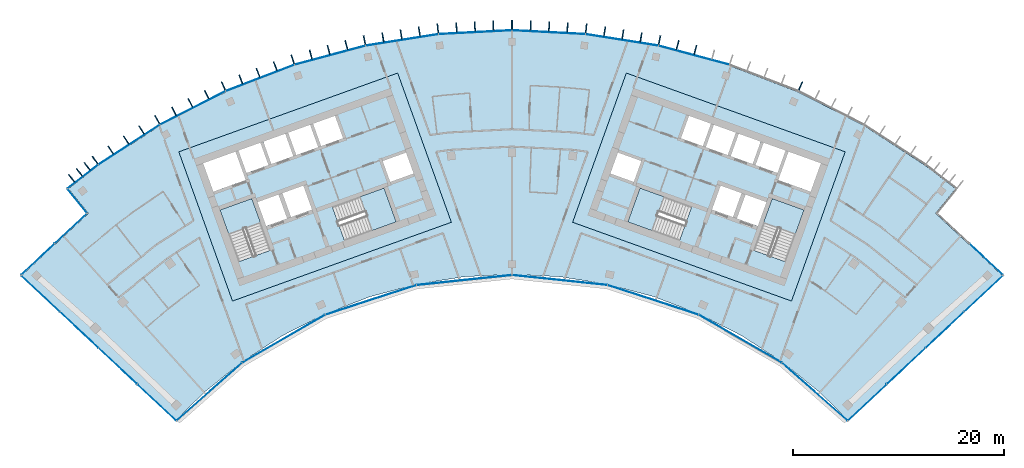
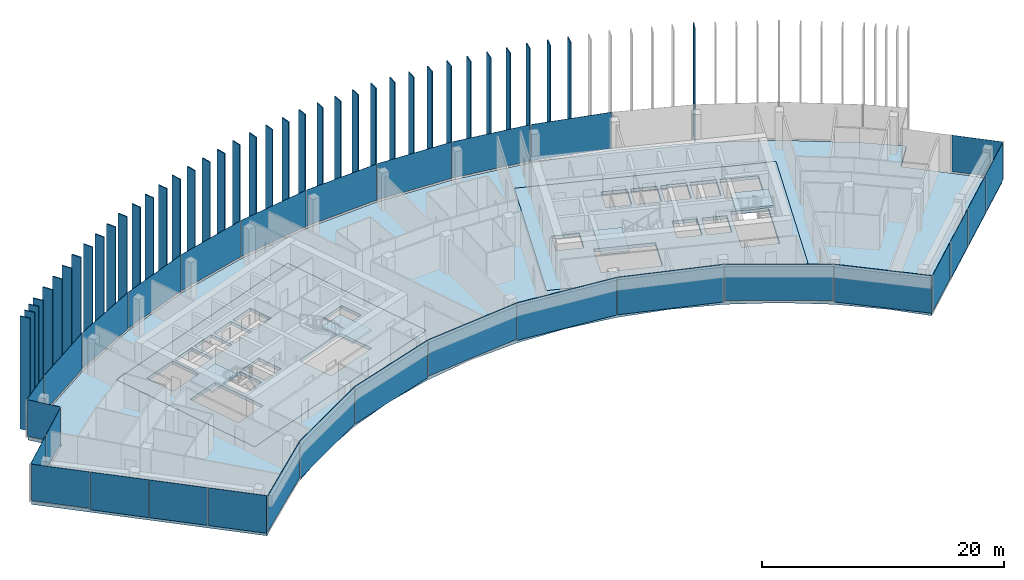
# One storey, part 11 of 19: 69 plates, 7 slabs, 11 elements without a shape of their own.
"""IFC4 building model written with IfcOpenShell, lengths in metres."""

from ifc_helpers import new_model, si_unit, direction, frame, origin, origin_2d, place, context, subcontext, project, spatial, polyline, rectangle, outline, extrude, material, layer, layer_set, type_object, element, aggregate, save


model = new_model("IFC4")

# Units and contexts
model_context = context("Model", 3, precision=1e-05, world=origin(), true_north=direction((0.0, 1.0)))
body_context = subcontext(model_context, "Body", "Model", "MODEL_VIEW")
ifc_project = project(units=[si_unit("LENGTHUNIT", "METRE"), si_unit("AREAUNIT", "SQUARE_METRE"), si_unit("VOLUMEUNIT", "CUBIC_METRE"), si_unit("PLANEANGLEUNIT", "RADIAN"), si_unit("MASSUNIT", "GRAM", prefix="KILO")], contexts=[model_context])

# Site, building, storey
site_placement = place(None, origin())
site = spatial("IfcSite", under=ifc_project, at=site_placement, CompositionType="ELEMENT")
building_placement = place(site_placement, origin())
building = spatial("IfcBuilding", under=site, at=building_placement, Name="Stone Belt Terrace Tower", CompositionType="ELEMENT")
storey_placement = place(building_placement, frame((0.0, 0.0, 280.800048828125)))
storey = spatial("IfcBuildingStorey", under=building, at=storey_placement, Name="L68", CompositionType="ELEMENT", Elevation=280.800048828125)

# Curtain wall, plates
ifc_material_1 = material(Name="Aluminium 6063-T6 anodised frame", Category="aluminium")
ifc_layer_1 = layer(ifc_material_1, 0.14990234375)
ifc_layer_set_1 = layer_set([ifc_layer_1], Name="CW-A unitised convex-face curtain wall")
curtain_wall_type_1 = type_object("IfcCurtainWallType", Name="CW-A unitised convex-face curtain wall", PredefinedType="NOTDEFINED", material=ifc_layer_set_1)
curtain_wall_1_placement = place(storey_placement, origin())
curtain_wall_1 = element("IfcCurtainWall", 1, at=curtain_wall_1_placement, inside=storey, type_object=curtain_wall_type_1, Name="CW-A convex face L68", PredefinedType="NOTDEFINED")
ifc_material_2 = material(Name="Clear double glazed unit")
ifc_layer_2 = layer(ifc_material_2, 0.031982421875)
ifc_layer_set_2 = layer_set([ifc_layer_2], Name="CW-A glass panel 32")
plate_type_1 = type_object("IfcPlateType", Name="CW-A glass panel 32", PredefinedType="CURTAIN_PANEL", material=ifc_layer_set_2)
plate_1_placement = place(storey_placement, frame((17.207275390625, 64.218505859375, 0.14013671875), z_axis=(0.0, 0.0, 1.0), x_axis=(-0.965925826289, 0.258819045103, 0.0)))
plate_1 = element("IfcPlate", 2, at=plate_1_placement, type_object=plate_type_1, Name="CW-A panel 5.1", PredefinedType="CURTAIN_PANEL", context=body_context, shape_type="SweptSolid", body=[
    extrude(rectangle(XDim=6.90087890625, YDim=0.031982421875, at=origin_2d()), origin(), (0.0, 0.0, 1.0), 3.659912109375),
])
plate_2_placement = place(storey_placement, frame((10.400390625, 65.665283203125, 0.14013671875), z_axis=(0.0, 0.0, 1.0), x_axis=(-0.987688340595, 0.15643446504, 0.0)))
plate_2 = element("IfcPlate", 3, at=plate_2_placement, type_object=plate_type_1, Name="CW-A panel 6.1", PredefinedType="CURTAIN_PANEL", context=body_context, shape_type="SweptSolid", body=[
    extrude(rectangle(XDim=6.90087890625, YDim=0.031982421875, at=origin_2d()), origin(), (0.0, 0.0, 1.0), 3.659912109375),
])
plate_3_placement = place(storey_placement, frame((3.4794921875, 66.392822265625, 0.14013671875), z_axis=(0.0, 0.0, 1.0), x_axis=(-0.998629534755, 0.052335956243, 0.0)))
plate_3 = element("IfcPlate", 4, at=plate_3_placement, type_object=plate_type_1, Name="CW-A panel 7.1", PredefinedType="CURTAIN_PANEL", context=body_context, shape_type="SweptSolid", body=[
    extrude(rectangle(XDim=6.90087890625, YDim=0.031982421875, at=origin_2d()), origin(), (0.0, 0.0, 1.0), 3.659912109375),
])
plate_4_placement = place(storey_placement, frame((-3.4794921875, 66.392822265625, 0.14013671875), z_axis=(0.0, 0.0, 1.0), x_axis=(-0.998629534755, -0.052335956243, 0.0)))
plate_4 = element("IfcPlate", 5, at=plate_4_placement, type_object=plate_type_1, Name="CW-A panel 8.1", PredefinedType="CURTAIN_PANEL", context=body_context, shape_type="SweptSolid", body=[
    extrude(rectangle(XDim=6.90087890625, YDim=0.031982421875, at=origin_2d()), origin(), (0.0, 0.0, 1.0), 3.659912109375),
])
plate_5_placement = place(storey_placement, frame((-10.400390625, 65.665283203125, 0.14013671875), z_axis=(0.0, 0.0, 1.0), x_axis=(-0.987688340595, -0.15643446504, 0.0)))
plate_5 = element("IfcPlate", 6, at=plate_5_placement, type_object=plate_type_1, Name="CW-A panel 9.1", PredefinedType="CURTAIN_PANEL", context=body_context, shape_type="SweptSolid", body=[
    extrude(rectangle(XDim=6.90087890625, YDim=0.031982421875, at=origin_2d()), origin(), (0.0, 0.0, 1.0), 3.659912109375),
])
plate_6_placement = place(storey_placement, frame((-17.207275390625, 64.218505859375, 0.14013671875), z_axis=(0.0, 0.0, 1.0), x_axis=(-0.965925826289, -0.258819045103, 0.0)))
plate_6 = element("IfcPlate", 7, at=plate_6_placement, type_object=plate_type_1, Name="CW-A panel 10.1", PredefinedType="CURTAIN_PANEL", context=body_context, shape_type="SweptSolid", body=[
    extrude(rectangle(XDim=6.90087890625, YDim=0.031982421875, at=origin_2d()), origin(), (0.0, 0.0, 1.0), 3.659912109375),
])
plate_7_placement = place(storey_placement, frame((-23.82568359375, 62.068115234375, 0.14013671875), z_axis=(0.0, 0.0, 1.0), x_axis=(-0.933580426497, -0.358367949545, 0.0)))
plate_7 = element("IfcPlate", 8, at=plate_7_placement, type_object=plate_type_1, Name="CW-A panel 11.1", PredefinedType="CURTAIN_PANEL", context=body_context, shape_type="SweptSolid", body=[
    extrude(rectangle(XDim=6.90087890625, YDim=0.031982421875, at=origin_2d()), origin(), (0.0, 0.0, 1.0), 3.659912109375),
])
plate_8_placement = place(storey_placement, frame((-30.18310546875, 59.237548828125, 0.14013671875), z_axis=(0.0, 0.0, 1.0), x_axis=(-0.891006524188, -0.45399049974, 0.0)))
plate_8 = element("IfcPlate", 9, at=plate_8_placement, type_object=plate_type_1, Name="CW-A panel 12.1", PredefinedType="CURTAIN_PANEL", context=body_context, shape_type="SweptSolid", body=[
    extrude(rectangle(XDim=6.90087890625, YDim=0.031982421875, at=origin_2d()), origin(), (0.0, 0.0, 1.0), 3.659912109375),
])
plate_9_placement = place(storey_placement, frame((-36.209716796875, 55.758056640625, 0.14013671875), z_axis=(0.0, 0.0, 1.0), x_axis=(-0.838670567945, -0.544639035015, 0.0)))
plate_9 = element("IfcPlate", 10, at=plate_9_placement, type_object=plate_type_1, Name="CW-A panel 13.1", PredefinedType="CURTAIN_PANEL", context=body_context, shape_type="SweptSolid", body=[
    extrude(rectangle(XDim=6.900634765625, YDim=0.031982421875, at=origin_2d()), origin(), (0.0, 0.0, 1.0), 3.659912109375),
])
plate_10_placement = place(storey_placement, frame((-40.583251953125, 52.744140625, 0.14013671875), z_axis=(0.0, 0.0, 1.0), x_axis=(-0.792693871824, -0.60961990254, 0.0)))
plate_10 = element("IfcPlate", 11, at=plate_10_placement, type_object=plate_type_1, Name="CW-A panel 14.1", PredefinedType="CURTAIN_PANEL", context=body_context, shape_type="SweptSolid", body=[
    extrude(rectangle(XDim=3.597900390625, YDim=0.031982421875, at=origin_2d()), origin(), (0.0, 0.0, 1.0), 3.659912109375),
])
aggregate(curtain_wall_1, [plate_1, plate_2, plate_3, plate_4, plate_5, plate_6, plate_7, plate_8, plate_9, plate_10])

ifc_layer_3 = layer(ifc_material_1, 0.14990234375)
ifc_layer_set_3 = layer_set([ifc_layer_3], Name="CW-B unitised concave-face curtain wall")
curtain_wall_type_2 = type_object("IfcCurtainWallType", Name="CW-B unitised concave-face curtain wall", PredefinedType="NOTDEFINED", material=ifc_layer_set_3)
curtain_wall_2_placement = place(storey_placement, origin())
curtain_wall_2 = element("IfcCurtainWall", 12, at=curtain_wall_2_placement, inside=storey, type_object=curtain_wall_type_2, Name="CW-B concave face L68", PredefinedType="NOTDEFINED")
ifc_layer_4 = layer(ifc_material_2, 0.030029296875)
ifc_layer_set_4 = layer_set([ifc_layer_4], Name="CW-B glass panel 30")
plate_type_2 = type_object("IfcPlateType", Name="CW-B glass panel 30", PredefinedType="CURTAIN_PANEL", material=ifc_layer_set_4)
plate_11_placement = place(storey_placement, frame((-28.624755859375, 32.39404296875, 0.1201171875), z_axis=(0.0, 0.0, 1.0), x_axis=(0.749658646805, 0.661824684694, 0.0)))
plate_11 = element("IfcPlate", 13, at=plate_11_placement, type_object=plate_type_2, Name="CW-B panel 1.1", PredefinedType="CURTAIN_PANEL", context=body_context, shape_type="SweptSolid", body=[
    extrude(rectangle(XDim=8.2060546875, YDim=0.030029296875, at=origin_2d()), origin(), (0.0, 0.0, 1.0), 3.679931640625),
])
plate_12_placement = place(storey_placement, frame((-21.59375, 37.400634765625, 0.0), z_axis=(0.0, 0.0, 1.0), x_axis=(0.866025403784, 0.5, 0.0)))
plate_12 = element("IfcPlate", 14, at=plate_12_placement, type_object=plate_type_2, Name="CW-B panel 2.1", PredefinedType="CURTAIN_PANEL", context=body_context, shape_type="SweptSolid", body=[
    extrude(rectangle(XDim=9.013427734375, YDim=0.030029296875, at=origin_2d()), origin(), (0.0, 0.0, 1.0), 3.800048828125),
])
plate_13_placement = place(storey_placement, frame((-13.345458984375, 41.072998046875, 0.0), z_axis=(0.0, 0.0, 1.0), x_axis=(0.951056516295, 0.309016994375, 0.0)))
plate_13 = element("IfcPlate", 15, at=plate_13_placement, type_object=plate_type_2, Name="CW-B panel 3.1", PredefinedType="CURTAIN_PANEL", context=body_context, shape_type="SweptSolid", body=[
    extrude(rectangle(XDim=9.0126953125, YDim=0.030029296875, at=origin_2d()), origin(), (0.0, 0.0, 1.0), 3.800048828125),
])
plate_14_placement = place(storey_placement, frame((-4.51416015625, 42.9501953125, 0.1201171875), z_axis=(0.0, 0.0, 1.0), x_axis=(0.994521895368, 0.104528463268, 0.0)))
plate_14 = element("IfcPlate", 16, at=plate_14_placement, type_object=plate_type_2, Name="CW-B panel 4.1", PredefinedType="CURTAIN_PANEL", context=body_context, shape_type="SweptSolid", body=[
    extrude(rectangle(XDim=9.0126953125, YDim=0.030029296875, at=origin_2d()), origin(), (0.0, 0.0, 1.0), 3.679931640625),
])
plate_15_placement = place(storey_placement, frame((4.51416015625, 42.9501953125, 0.0), z_axis=(0.0, 0.0, 1.0), x_axis=(0.994521895368, -0.104528463268, 0.0)))
plate_15 = element("IfcPlate", 17, at=plate_15_placement, type_object=plate_type_2, Name="CW-B panel 5.1", PredefinedType="CURTAIN_PANEL", context=body_context, shape_type="SweptSolid", body=[
    extrude(rectangle(XDim=9.0126953125, YDim=0.030029296875, at=origin_2d()), origin(), (0.0, 0.0, 1.0), 3.800048828125),
])
plate_16_placement = place(storey_placement, frame((13.345458984375, 41.072998046875, 0.0), z_axis=(0.0, 0.0, 1.0), x_axis=(0.951056516295, -0.309016994375, 0.0)))
plate_16 = element("IfcPlate", 18, at=plate_16_placement, type_object=plate_type_2, Name="CW-B panel 6.1", PredefinedType="CURTAIN_PANEL", context=body_context, shape_type="SweptSolid", body=[
    extrude(rectangle(XDim=9.0126953125, YDim=0.030029296875, at=origin_2d()), origin(), (0.0, 0.0, 1.0), 3.800048828125),
])
plate_17_placement = place(storey_placement, frame((21.59375, 37.400634765625, 0.1201171875), z_axis=(0.0, 0.0, 1.0), x_axis=(0.866025403784, -0.5, 0.0)))
plate_17 = element("IfcPlate", 19, at=plate_17_placement, type_object=plate_type_2, Name="CW-B panel 7.1", PredefinedType="CURTAIN_PANEL", context=body_context, shape_type="SweptSolid", body=[
    extrude(rectangle(XDim=9.013427734375, YDim=0.030029296875, at=origin_2d()), origin(), (0.0, 0.0, 1.0), 3.679931640625),
])
plate_18_placement = place(storey_placement, frame((28.624755859375, 32.39404296875, 0.0), z_axis=(0.0, 0.0, 1.0), x_axis=(0.749658646805, -0.661824684694, 0.0)))
plate_18 = element("IfcPlate", 20, at=plate_18_placement, type_object=plate_type_2, Name="CW-B panel 8.1", PredefinedType="CURTAIN_PANEL", context=body_context, shape_type="SweptSolid", body=[
    extrude(rectangle(XDim=8.2060546875, YDim=0.030029296875, at=origin_2d()), origin(), (0.0, 0.0, 1.0), 3.800048828125),
])
aggregate(curtain_wall_2, [plate_11, plate_12, plate_13, plate_14, plate_15, plate_16, plate_17, plate_18])

ifc_layer_5 = layer(ifc_material_1, 0.14990234375)
ifc_layer_set_5 = layer_set([ifc_layer_5], Name="CW-C stick curtain wall, horn ends and notches")
curtain_wall_type_3 = type_object("IfcCurtainWallType", Name="CW-C stick curtain wall, horn ends and notches", PredefinedType="NOTDEFINED", material=ifc_layer_set_5)
curtain_wall_3_placement = place(storey_placement, origin())
curtain_wall_3 = element("IfcCurtainWall", 21, at=curtain_wall_3_placement, inside=storey, type_object=curtain_wall_type_3, Name="CW-C end face L68", PredefinedType="NOTDEFINED")
ifc_layer_6 = layer(ifc_material_2, 0.028076171875)
ifc_layer_set_6 = layer_set([ifc_layer_6], Name="CW-C glass panel 28")
plate_type_3 = type_object("IfcPlateType", Name="CW-C glass panel 28", PredefinedType="CURTAIN_PANEL", material=ifc_layer_set_6)
plate_19_placement = place(storey_placement, frame((33.617431640625, 31.3798828125, 0.1201171875), z_axis=(0.0, 0.0, 1.0), x_axis=(0.729904219708, 0.683549434973, 0.0)))
plate_19 = element("IfcPlate", 22, at=plate_19_placement, type_object=plate_type_3, Name="CW-C panel 1.1", PredefinedType="CURTAIN_PANEL", context=body_context, shape_type="SweptSolid", body=[
    extrude(rectangle(XDim=4.965576171875, YDim=0.028076171875, at=origin_2d()), origin(), (0.0, 0.0, 1.0), 3.679931640625),
])
plate_20_placement = place(storey_placement, frame((37.2763671875, 34.806396484375, 0.0), z_axis=(0.0, 0.0, 1.0), x_axis=(0.729904219708, 0.683549434973, 0.0)))
plate_20 = element("IfcPlate", 23, at=plate_20_placement, type_object=plate_type_3, Name="CW-C panel 2.1", PredefinedType="CURTAIN_PANEL", context=body_context, shape_type="SweptSolid", body=[
    extrude(rectangle(XDim=4.93994140625, YDim=0.028076171875, at=origin_2d()), origin(), (0.0, 0.0, 1.0), 3.800048828125),
])
plate_21_placement = place(storey_placement, frame((40.92578125, 38.22412109375, 0.0), z_axis=(0.0, 0.0, 1.0), x_axis=(0.729904219708, 0.683549434973, 0.0)))
plate_21 = element("IfcPlate", 24, at=plate_21_placement, type_object=plate_type_3, Name="CW-C panel 3.1", PredefinedType="CURTAIN_PANEL", context=body_context, shape_type="SweptSolid", body=[
    extrude(rectangle(XDim=4.93994140625, YDim=0.028076171875, at=origin_2d()), origin(), (0.0, 0.0, 1.0), 3.800048828125),
])
plate_22_placement = place(storey_placement, frame((44.588134765625, 41.65380859375, 0.0), z_axis=(0.0, 0.0, 1.0), x_axis=(0.729904219708, 0.683549434973, 0.0)))
plate_22 = element("IfcPlate", 25, at=plate_22_placement, type_object=plate_type_3, Name="CW-C panel 4.1", PredefinedType="CURTAIN_PANEL", context=body_context, shape_type="SweptSolid", body=[
    extrude(rectangle(XDim=4.974853515625, YDim=0.028076171875, at=origin_2d()), origin(), (0.0, 0.0, 1.0), 3.800048828125),
])
aggregate(curtain_wall_3, [plate_19, plate_20, plate_21, plate_22])

# Curtain wall, plate
curtain_wall_4_placement = place(storey_placement, origin())
curtain_wall_4 = element("IfcCurtainWall", 26, at=curtain_wall_4_placement, inside=storey, type_object=curtain_wall_type_3, Name="CW-C notch face L68", PredefinedType="NOTDEFINED")
plate_23_placement = place(storey_placement, frame((44.8427734375, 44.91259765625, 0.1201171875), z_axis=(0.0, 0.0, 1.0), x_axis=(-0.731339333871, 0.682013767261, 0.0)))
plate_23 = element("IfcPlate", 27, at=plate_23_placement, type_object=plate_type_3, Name="CW-C panel 1.1", PredefinedType="CURTAIN_PANEL", context=body_context, shape_type="SweptSolid", body=[
    extrude(rectangle(XDim=4.268798828125, YDim=0.028076171875, at=origin_2d()), origin(), (0.0, 0.0, 1.0), 3.679931640625),
])
aggregate(curtain_wall_4, [plate_23])

curtain_wall_5_placement = place(storey_placement, origin())
curtain_wall_5 = element("IfcCurtainWall", 28, at=curtain_wall_5_placement, inside=storey, type_object=curtain_wall_type_3, Name="CW-C notch face L68", PredefinedType="NOTDEFINED")
plate_24_placement = place(storey_placement, frame((-41.119140625, 50.43505859375, 0.1201171875), z_axis=(0.0, 0.0, 1.0), x_axis=(0.631001485542, -0.775781622136, 0.0)))
plate_24 = element("IfcPlate", 29, at=plate_24_placement, type_object=plate_type_3, Name="CW-C panel 1.1", PredefinedType="CURTAIN_PANEL", context=body_context, shape_type="SweptSolid", body=[
    extrude(rectangle(XDim=2.859130859375, YDim=0.028076171875, at=origin_2d()), origin(), (0.0, 0.0, 1.0), 3.679931640625),
])
aggregate(curtain_wall_5, [plate_24])

# Curtain wall, plates
curtain_wall_6_placement = place(storey_placement, origin())
curtain_wall_6 = element("IfcCurtainWall", 30, at=curtain_wall_6_placement, inside=storey, type_object=curtain_wall_type_3, Name="CW-C notch face L68", PredefinedType="NOTDEFINED")
plate_25_placement = place(storey_placement, frame((-41.731201171875, 47.814208984375, 0.1201171875), z_axis=(0.0, 0.0, 1.0), x_axis=(-0.731339333871, -0.682013767261, 0.0)))
plate_25 = element("IfcPlate", 31, at=plate_25_placement, type_object=plate_type_3, Name="CW-C panel 1.1", PredefinedType="CURTAIN_PANEL", context=body_context, shape_type="SweptSolid", body=[
    extrude(rectangle(XDim=4.12060546875, YDim=0.028076171875, at=origin_2d()), origin(), (0.0, 0.0, 1.0), 3.679931640625),
])
plate_26_placement = place(storey_placement, frame((-44.8427734375, 44.91259765625, 0.0), z_axis=(0.0, 0.0, 1.0), x_axis=(-0.731339333871, -0.682013767261, 0.0)))
plate_26 = element("IfcPlate", 32, at=plate_26_placement, type_object=plate_type_3, Name="CW-C panel 2.1", PredefinedType="CURTAIN_PANEL", context=body_context, shape_type="SweptSolid", body=[
    extrude(rectangle(XDim=4.268798828125, YDim=0.028076171875, at=origin_2d()), origin(), (0.0, 0.0, 1.0), 3.800048828125),
])
aggregate(curtain_wall_6, [plate_25, plate_26])

curtain_wall_7_placement = place(storey_placement, origin())
curtain_wall_7 = element("IfcCurtainWall", 33, at=curtain_wall_7_placement, inside=storey, type_object=curtain_wall_type_3, Name="CW-C end face L68", PredefinedType="NOTDEFINED")
plate_27_placement = place(storey_placement, frame((-44.588134765625, 41.65380859375, 0.1201171875), z_axis=(0.0, 0.0, 1.0), x_axis=(0.729904219708, -0.683549434973, 0.0)))
plate_27 = element("IfcPlate", 34, at=plate_27_placement, type_object=plate_type_3, Name="CW-C panel 1.1", PredefinedType="CURTAIN_PANEL", context=body_context, shape_type="SweptSolid", body=[
    extrude(rectangle(XDim=4.974853515625, YDim=0.028076171875, at=origin_2d()), origin(), (0.0, 0.0, 1.0), 3.679931640625),
])
plate_28_placement = place(storey_placement, frame((-40.92578125, 38.22412109375, 0.0), z_axis=(0.0, 0.0, 1.0), x_axis=(0.729904219708, -0.683549434973, 0.0)))
plate_28 = element("IfcPlate", 35, at=plate_28_placement, type_object=plate_type_3, Name="CW-C panel 2.1", PredefinedType="CURTAIN_PANEL", context=body_context, shape_type="SweptSolid", body=[
    extrude(rectangle(XDim=4.93994140625, YDim=0.028076171875, at=origin_2d()), origin(), (0.0, 0.0, 1.0), 3.800048828125),
])
plate_29_placement = place(storey_placement, frame((-37.2763671875, 34.806396484375, 0.0), z_axis=(0.0, 0.0, 1.0), x_axis=(0.729904219708, -0.683549434973, 0.0)))
plate_29 = element("IfcPlate", 36, at=plate_29_placement, type_object=plate_type_3, Name="CW-C panel 3.1", PredefinedType="CURTAIN_PANEL", context=body_context, shape_type="SweptSolid", body=[
    extrude(rectangle(XDim=4.93994140625, YDim=0.028076171875, at=origin_2d()), origin(), (0.0, 0.0, 1.0), 3.800048828125),
])
plate_30_placement = place(storey_placement, frame((-33.617431640625, 31.3798828125, 0.0), z_axis=(0.0, 0.0, 1.0), x_axis=(0.729904219708, -0.683549434973, 0.0)))
plate_30 = element("IfcPlate", 37, at=plate_30_placement, type_object=plate_type_3, Name="CW-C panel 4.1", PredefinedType="CURTAIN_PANEL", context=body_context, shape_type="SweptSolid", body=[
    extrude(rectangle(XDim=4.965576171875, YDim=0.028076171875, at=origin_2d()), origin(), (0.0, 0.0, 1.0), 3.800048828125),
])
aggregate(curtain_wall_7, [plate_27, plate_28, plate_29, plate_30])

# Slabs
ifc_material_3 = material(Name="Concrete B40", Category="concrete")
ifc_layer_7 = layer(ifc_material_3, 0.320068359375)
ifc_layer_set_7 = layer_set([ifc_layer_7], Name="Core floor slab 320")
slab_type_1 = type_object("IfcSlabType", Name="Core floor slab 320", PredefinedType="FLOOR", material=ifc_layer_set_7)
slab_1_placement = place(storey_placement, frame((0.0, 0.0, -0.320068359375)))
element("IfcSlab", 38, at=slab_1_placement, inside=storey, type_object=slab_type_1, Name="Core A floor L68", PredefinedType="FLOOR", context=body_context, shape_type="SweptSolid", body=[
    extrude(outline(polyline([(-26.43505859375, 40.968994140625), (-5.735107421875, 48.4189453125), (-10.81396484375, 62.531982421875), (-31.513916015625, 55.0830078125), (-26.43505859375, 40.968994140625)]), holes=[polyline([(-24.60791015625, 50.659912109375), (-22.847900390625, 45.76806640625), (-25.85888671875, 44.68408203125), (-27.618896484375, 49.575927734375), (-24.60791015625, 50.659912109375)]), polyline([(-10.955078125, 48.452880859375), (-15.846923828125, 46.69189453125), (-16.998046875, 49.89208984375), (-12.10595703125, 51.652099609375), (-10.955078125, 48.452880859375)]), polyline([(-22.0869140625, 51.035888671875), (-21.27392578125, 48.778076171875), (-23.25, 48.06689453125), (-24.06298828125, 50.324951171875), (-22.0869140625, 51.035888671875)]), polyline([(-18.922119140625, 49.6240234375), (-20.89794921875, 48.9130859375), (-21.7109375, 51.1708984375), (-19.735107421875, 51.883056640625), (-18.922119140625, 49.6240234375)]), polyline([(-29.2109375, 53.9990234375), (-26.153076171875, 55.09912109375), (-25.18798828125, 52.41796875), (-28.24609375, 51.31689453125), (-29.2109375, 53.9990234375)]), polyline([(-10.01904296875, 55.007080078125), (-9.30810546875, 53.031005859375), (-11.51904296875, 52.235107421875), (-12.22998046875, 54.2109375), (-10.01904296875, 55.007080078125)]), polyline([(-25.87109375, 55.200927734375), (-23.801025390625, 55.946044921875), (-23.0390625, 53.8291015625), (-25.10888671875, 53.083984375), (-25.87109375, 55.200927734375)]), polyline([(-23.51806640625, 56.047119140625), (-21.447998046875, 56.7919921875), (-20.68603515625, 54.675048828125), (-22.756103515625, 53.929931640625), (-23.51806640625, 56.047119140625)]), polyline([(-19.095947265625, 57.638916015625), (-18.333984375, 55.52197265625), (-20.404052734375, 54.777099609375), (-21.166015625, 56.89404296875), (-19.095947265625, 57.638916015625)]), polyline([(-16.743896484375, 58.485107421875), (-15.98193359375, 56.367919921875), (-18.052001953125, 55.623046875), (-18.81396484375, 57.739990234375), (-16.743896484375, 58.485107421875)])]), origin(), (0.0, 0.0, 1.0), 0.320068359375),
])
slab_2_placement = place(storey_placement, frame((0.0, 0.0, -0.320068359375)))
element("IfcSlab", 39, at=slab_2_placement, inside=storey, type_object=slab_type_1, Name="Core B floor L68", PredefinedType="FLOOR", context=body_context, shape_type="SweptSolid", body=[
    extrude(outline(polyline([(26.43505859375, 40.968994140625), (31.513916015625, 55.0830078125), (10.81396484375, 62.531982421875), (5.735107421875, 48.4189453125), (26.43505859375, 40.968994140625)]), holes=[polyline([(27.618896484375, 49.575927734375), (25.85888671875, 44.68408203125), (22.847900390625, 45.76806640625), (24.60791015625, 50.659912109375), (27.618896484375, 49.575927734375)]), polyline([(12.10595703125, 51.652099609375), (16.998046875, 49.89208984375), (15.846923828125, 46.69189453125), (10.955078125, 48.452880859375), (12.10595703125, 51.652099609375)]), polyline([(23.25, 48.06689453125), (21.27392578125, 48.778076171875), (22.0869140625, 51.035888671875), (24.06298828125, 50.324951171875), (23.25, 48.06689453125)]), polyline([(18.922119140625, 49.6240234375), (19.735107421875, 51.883056640625), (21.7109375, 51.1708984375), (20.89794921875, 48.9130859375), (18.922119140625, 49.6240234375)]), polyline([(29.2109375, 53.9990234375), (28.24609375, 51.31689453125), (25.18798828125, 52.41796875), (26.153076171875, 55.09912109375), (29.2109375, 53.9990234375)]), polyline([(11.51904296875, 52.235107421875), (9.30810546875, 53.031005859375), (10.01904296875, 55.007080078125), (12.22998046875, 54.2109375), (11.51904296875, 52.235107421875)]), polyline([(23.0390625, 53.8291015625), (23.801025390625, 55.946044921875), (25.87109375, 55.200927734375), (25.10888671875, 53.083984375), (23.0390625, 53.8291015625)]), polyline([(20.68603515625, 54.675048828125), (21.447998046875, 56.7919921875), (23.51806640625, 56.047119140625), (22.756103515625, 53.929931640625), (20.68603515625, 54.675048828125)]), polyline([(19.095947265625, 57.638916015625), (21.166015625, 56.89404296875), (20.404052734375, 54.777099609375), (18.333984375, 55.52197265625), (19.095947265625, 57.638916015625)]), polyline([(16.743896484375, 58.485107421875), (18.81396484375, 57.739990234375), (18.052001953125, 55.623046875), (15.98193359375, 56.367919921875), (16.743896484375, 58.485107421875)])]), origin(), (0.0, 0.0, 1.0), 0.320068359375),
])
ifc_layer_8 = layer(ifc_material_3, 0.320068359375)
ifc_layer_set_8 = layer_set([ifc_layer_8], Name="Floor slab 320 B40")
slab_type_2 = type_object("IfcSlabType", Name="Floor slab 320 B40", PredefinedType="FLOOR", material=ifc_layer_set_8)
slab_3_placement = place(storey_placement, frame((0.0, 0.0, -0.320068359375)))
element("IfcSlab", 40, at=slab_3_placement, inside=storey, type_object=slab_type_2, Name="Floor slab L68", PredefinedType="FLOOR", context=body_context, shape_type="SweptSolid", body=[
    extrude(outline(polyline([(-40.068603515625, 49.26220703125), (-41.961669921875, 51.589599609375), (-39.087646484375, 53.799560546875), (-33.25, 57.5908203125), (-27.048095703125, 60.750732421875), (-20.549560546875, 63.245361328125), (-13.826171875, 65.046875), (-6.951171875, 66.1357421875), (0.0, 66.5), (6.951171875, 66.1357421875), (13.826171875, 65.046875), (20.549560546875, 63.245361328125), (27.048095703125, 60.750732421875), (33.25, 57.5908203125), (39.087646484375, 53.799560546875), (41.961669921875, 51.589599609375), (40.068603515625, 49.26220703125), (46.348876953125, 43.405517578125), (31.750732421875, 29.734375), (29.107177734375, 32.326904296875), (25.568603515625, 35.192138671875), (21.75, 37.672119140625), (17.693115234375, 39.7392578125), (13.442138671875, 41.37109375), (9.044189453125, 42.54931640625), (4.547119140625, 43.26171875), (0.0, 43.5), (-4.547119140625, 43.26171875), (-9.044189453125, 42.54931640625), (-13.442138671875, 41.37109375), (-17.693115234375, 39.7392578125), (-21.75, 37.672119140625), (-25.568603515625, 35.192138671875), (-29.107177734375, 32.326904296875), (-31.750732421875, 29.734375), (-46.348876953125, 43.405517578125), (-40.068603515625, 49.26220703125)]), holes=[polyline([(-10.81396484375, 62.532470703125), (-31.51416015625, 55.082763671875), (-26.434814453125, 40.968994140625), (-5.734619140625, 48.418701171875), (-10.81396484375, 62.532470703125)]), polyline([(26.434814453125, 40.968994140625), (31.51416015625, 55.082763671875), (10.81396484375, 62.532470703125), (5.734619140625, 48.418701171875), (26.434814453125, 40.968994140625)])]), origin(), (0.0, 0.0, 1.0), 0.320068359375),
])

# Stair, slab
stair_type = type_object("IfcStairType", Name="Exit stair 1500", PredefinedType="HALF_TURN_STAIR", material=ifc_material_3)
stair_1_placement = place(storey_placement, origin())
stair_1 = element("IfcStair", 41, at=stair_1_placement, inside=storey, type_object=stair_type, Name="L68 Exit stair 1 core A", PredefinedType="HALF_TURN_STAIR")
ifc_layer_9 = layer(ifc_material_3, 0.199951171875)
ifc_layer_set_9 = layer_set([ifc_layer_9], Name="Stair landing 200")
slab_type_3 = type_object("IfcSlabType", Name="Stair landing 200", PredefinedType="LANDING", material=ifc_layer_set_9)
slab_4_placement = place(storey_placement, frame((0.0, 0.0, 1.699951171875)))
slab_4 = element("IfcSlab", 42, at=slab_4_placement, type_object=slab_type_3, Name="ST1A landing 1", PredefinedType="LANDING", context=body_context, shape_type="SweptSolid", body=[
    extrude(outline(polyline([(-23.79541015625, 48.40087890625), (-24.6083984375, 50.659912109375), (-27.619384765625, 49.576171875), (-26.806396484375, 47.3173828125), (-23.79541015625, 48.40087890625)])), origin(), (0.0, 0.0, 1.0), 0.199951171875),
])
aggregate(stair_1, [slab_4])

stair_2_placement = place(storey_placement, origin())
stair_2 = element("IfcStair", 43, at=stair_2_placement, inside=storey, type_object=stair_type, Name="L68 Exit stair 2 core A", PredefinedType="HALF_TURN_STAIR")
slab_5_placement = place(storey_placement, frame((0.0, 0.0, 1.699951171875)))
slab_5 = element("IfcSlab", 44, at=slab_5_placement, type_object=slab_type_3, Name="ST2A landing 1", PredefinedType="LANDING", context=body_context, shape_type="SweptSolid", body=[
    extrude(outline(polyline([(-13.213623046875, 47.64013671875), (-10.95458984375, 48.453125), (-12.10595703125, 51.652099609375), (-14.36474609375, 50.839111328125), (-13.213623046875, 47.64013671875)])), origin(), (0.0, 0.0, 1.0), 0.199951171875),
])
aggregate(stair_2, [slab_5])

stair_3_placement = place(storey_placement, origin())
stair_3 = element("IfcStair", 45, at=stair_3_placement, inside=storey, type_object=stair_type, Name="L68 Exit stair 1 core B", PredefinedType="HALF_TURN_STAIR")
slab_6_placement = place(storey_placement, frame((0.0, 0.0, 1.699951171875)))
slab_6 = element("IfcSlab", 46, at=slab_6_placement, type_object=slab_type_3, Name="ST1B landing 1", PredefinedType="LANDING", context=body_context, shape_type="SweptSolid", body=[
    extrude(outline(polyline([(26.806396484375, 47.3173828125), (27.619384765625, 49.576171875), (24.6083984375, 50.659912109375), (23.79541015625, 48.40087890625), (26.806396484375, 47.3173828125)])), origin(), (0.0, 0.0, 1.0), 0.199951171875),
])
aggregate(stair_3, [slab_6])

stair_4_placement = place(storey_placement, origin())
stair_4 = element("IfcStair", 47, at=stair_4_placement, inside=storey, type_object=stair_type, Name="L68 Exit stair 2 core B", PredefinedType="HALF_TURN_STAIR")
slab_7_placement = place(storey_placement, frame((0.0, 0.0, 1.699951171875)))
slab_7 = element("IfcSlab", 48, at=slab_7_placement, type_object=slab_type_3, Name="ST2B landing 1", PredefinedType="LANDING", context=body_context, shape_type="SweptSolid", body=[
    extrude(outline(polyline([(14.36474609375, 50.839111328125), (12.10595703125, 51.652099609375), (10.95458984375, 48.453125), (13.213623046875, 47.64013671875), (14.36474609375, 50.839111328125)])), origin(), (0.0, 0.0, 1.0), 0.199951171875),
])
aggregate(stair_4, [slab_7])

# Plates
ifc_material_4 = material(Name="Terracotta coloured glazed ceramic", Category="masonry")
ifc_layer_10 = layer(ifc_material_4, 0.10009765625)
ifc_layer_set_10 = layer_set([ifc_layer_10], Name="Terracotta fin 100 x 900")
plate_type_4 = type_object("IfcPlateType", Name="Terracotta fin 100 x 900", PredefinedType="SHEET", material=ifc_layer_set_10)
for number, where, z_axis, x_axis, name in (
    (49, (27.2919921875, 61.299072265625, 0.0), (0.0, 0.0, 1.0), (0.406736643076, 0.913545457643, 0.0), "FIN L68 4.1"),
    (50, (17.34326171875, 64.7255859375, 0.0), (0.0, 0.0, 1.0), (0.258819045103, 0.965925826289, 0.0), "FIN L68 5.3"),
    (51, (15.660400390625, 65.176513671875, 0.0), (0.0, 0.0, 1.0), (0.258819045103, 0.965925826289, 0.0), "FIN L68 5.4"),
    (52, (13.950927734375, 65.6337890625, 0.0), (0.0, 0.0, 1.0), (0.207911690818, 0.978147600734, 0.0), "FIN L68 6.1"),
    (53, (12.203125, 65.911376953125, 0.0), (0.0, 0.0, 1.0), (0.15643446504, 0.987688340595, 0.0), "FIN L68 6.2"),
    (54, (10.482421875, 66.183837890625, 0.0), (0.0, 0.0, 1.0), (0.15643446504, 0.987688340595, 0.0), "FIN L68 6.3"),
    (55, (8.76171875, 66.456298828125, 0.0), (0.0, 0.0, 1.0), (0.15643446504, 0.987688340595, 0.0), "FIN L68 6.4"),
    (56, (7.013916015625, 66.732421875, 0.0), (0.0, 0.0, 1.0), (0.104528463268, 0.994521895368, 0.0), "FIN L68 7.1"),
    (57, (5.246826171875, 66.825927734375, 0.0), (0.0, 0.0, 1.0), (0.052335956243, 0.998629534755, 0.0), "FIN L68 7.2"),
    (58, (3.507080078125, 66.9169921875, 0.0), (0.0, 0.0, 1.0), (0.052335956243, 0.998629534755, 0.0), "FIN L68 7.3"),
    (59, (1.767333984375, 67.00830078125, 0.0), (0.0, 0.0, 1.0), (0.052335956243, 0.998629534755, 0.0), "FIN L68 7.4"),
    (60, (0.0, 67.10009765625, 0.0), (0.0, 0.0, 1.0), (0.0, 1.0, 0.0), "FIN L68 8.1"),
    (61, (-1.767333984375, 67.00830078125, 0.0), (0.0, 0.0, 1.0), (-0.052335956243, 0.998629534755, 0.0), "FIN L68 8.2"),
    (62, (-3.507080078125, 66.9169921875, 0.0), (0.0, 0.0, 1.0), (-0.052335956243, 0.998629534755, 0.0), "FIN L68 8.3"),
    (63, (-5.246826171875, 66.825927734375, 0.0), (0.0, 0.0, 1.0), (-0.052335956243, 0.998629534755, 0.0), "FIN L68 8.4"),
    (64, (-7.013916015625, 66.732421875, 0.0), (0.0, 0.0, 1.0), (-0.104528463268, 0.994521895368, 0.0), "FIN L68 9.1"),
    (65, (-8.76171875, 66.456298828125, 0.0), (0.0, 0.0, 1.0), (-0.15643446504, 0.987688340595, 0.0), "FIN L68 9.2"),
    (66, (-10.482421875, 66.183837890625, 0.0), (0.0, 0.0, 1.0), (-0.15643446504, 0.987688340595, 0.0), "FIN L68 9.3"),
    (67, (-12.203125, 65.911376953125, 0.0), (0.0, 0.0, 1.0), (-0.15643446504, 0.987688340595, 0.0), "FIN L68 9.4"),
    (68, (-13.950927734375, 65.6337890625, 0.0), (0.0, 0.0, 1.0), (-0.207911690818, 0.978147600734, 0.0), "FIN L68 10.1"),
    (69, (-15.660400390625, 65.176513671875, 0.0), (0.0, 0.0, 1.0), (-0.258819045103, 0.965925826289, 0.0), "FIN L68 10.2"),
    (70, (-17.34326171875, 64.7255859375, 0.0), (0.0, 0.0, 1.0), (-0.258819045103, 0.965925826289, 0.0), "FIN L68 10.3"),
    (71, (-19.02587890625, 64.274658203125, 0.0), (0.0, 0.0, 1.0), (-0.258819045103, 0.965925826289, 0.0), "FIN L68 10.4"),
    (72, (-20.735107421875, 63.81591796875, 0.0), (0.0, 0.0, 1.0), (-0.309016994375, 0.951056516295, 0.0), "FIN L68 11.1"),
    (73, (-22.387451171875, 63.182373046875, 0.0), (0.0, 0.0, 1.0), (-0.358367949545, 0.933580426497, 0.0), "FIN L68 11.2"),
    (74, (-24.013916015625, 62.55810546875, 0.0), (0.0, 0.0, 1.0), (-0.358367949545, 0.933580426497, 0.0), "FIN L68 11.3"),
    (75, (-25.64013671875, 61.933837890625, 0.0), (0.0, 0.0, 1.0), (-0.358367949545, 0.933580426497, 0.0), "FIN L68 11.4"),
    (76, (-27.2919921875, 61.299072265625, 0.0), (0.0, 0.0, 1.0), (-0.406736643076, 0.913545457643, 0.0), "FIN L68 12.1"),
    (77, (-28.869140625, 60.496337890625, 0.0), (0.0, 0.0, 1.0), (-0.45399049974, 0.891006524188, 0.0), "FIN L68 12.2"),
    (78, (-30.42138671875, 59.705322265625, 0.0), (0.0, 0.0, 1.0), (-0.45399049974, 0.891006524188, 0.0), "FIN L68 12.3"),
    (79, (-31.9736328125, 58.914306640625, 0.0), (0.0, 0.0, 1.0), (-0.45399049974, 0.891006524188, 0.0), "FIN L68 12.4"),
    (80, (-33.550048828125, 58.1103515625, 0.0), (0.0, 0.0, 1.0), (-0.5, 0.866025403784, 0.0), "FIN L68 13.1"),
    (81, (-35.034423828125, 57.147216796875, 0.0), (0.0, 0.0, 1.0), (-0.544639035015, 0.838670567945, 0.0), "FIN L68 13.2"),
    (82, (-36.495361328125, 56.19873046875, 0.0), (0.0, 0.0, 1.0), (-0.544639035015, 0.838670567945, 0.0), "FIN L68 13.3"),
    (83, (-37.9560546875, 55.25, 0.0), (0.0, 0.0, 1.0), (-0.544639035015, 0.838670567945, 0.0), "FIN L68 13.4"),
    (84, (-39.434326171875, 54.28955078125, 0.0), (0.0, 0.0, 1.0), (-0.577587125789, 0.816329046477, 0.0), "FIN L68 14.1"),
    (85, (-40.185546875, 53.71240234375, 0.0), (0.0, 0.0, 1.0), (-0.60961990254, 0.792693871824, 0.0), "FIN L68 14.2"),
    (86, (-40.919677734375, 53.147705078125, 0.0), (0.0, 0.0, 1.0), (-0.60961990254, 0.792693871824, 0.0), "FIN L68 14.3"),
    (87, (-41.654052734375, 52.582763671875, 0.0), (0.0, 0.0, 1.0), (-0.60961990254, 0.792693871824, 0.0), "FIN L68 14.4"),
):
    element("IfcPlate", number, at=place(storey_placement, frame(where, z_axis=z_axis, x_axis=x_axis)), inside=storey, type_object=plate_type_4, Name=name, PredefinedType="SHEET", context=body_context, shape_type="SweptSolid", body=[
        extrude(rectangle(XDim=0.89990234375, YDim=0.10009765625, at=origin_2d()), origin(), (0.0, 0.0, 1.0), 11.39990234375),
    ])

save(model, "model.ifc")
